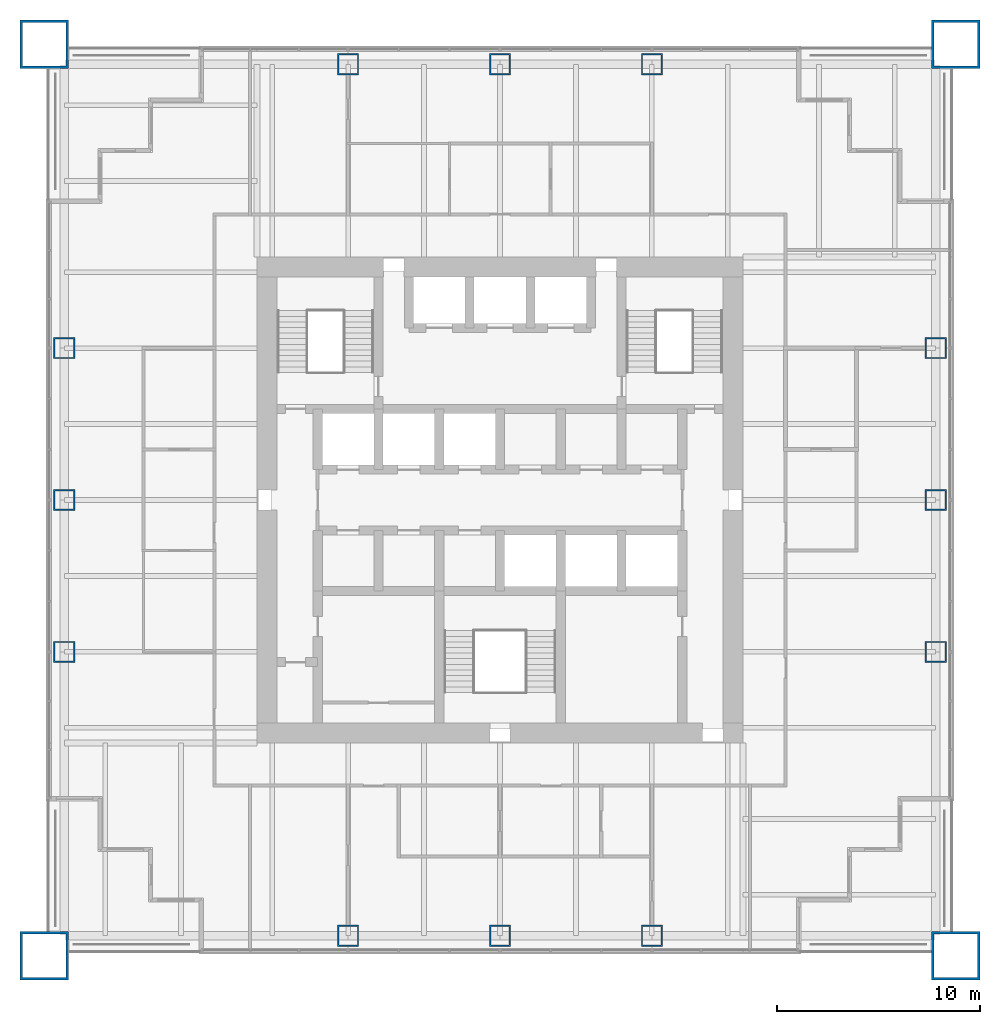
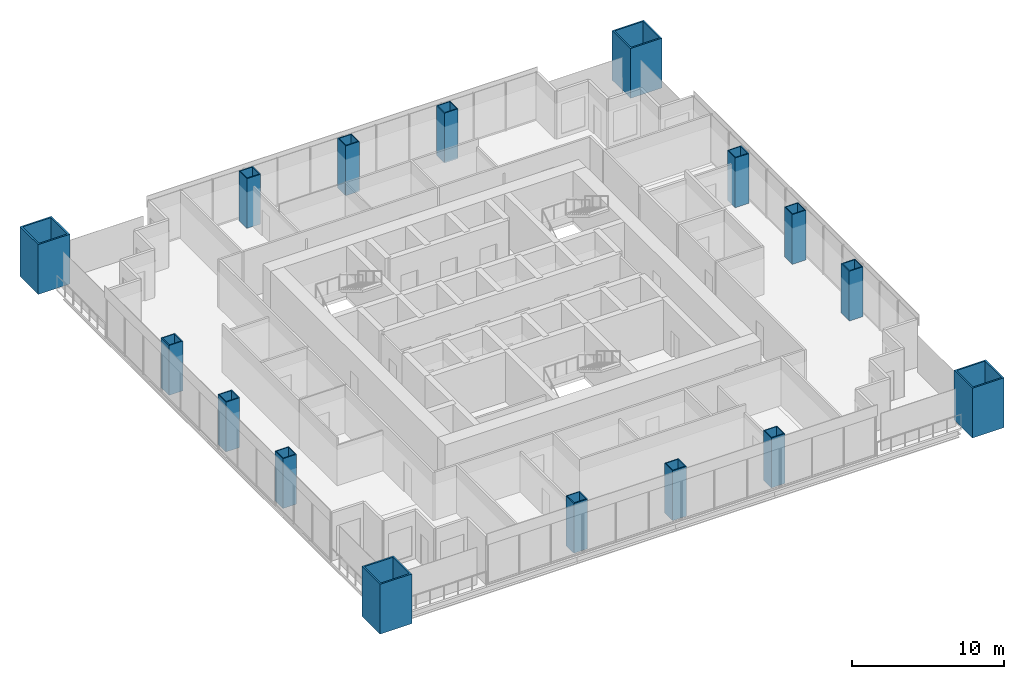
# One storey, part 1 of 13: 16 columns.
"""IFC4 building model written with IfcOpenShell, lengths in metres."""

from ifc_helpers import new_model, si_unit, direction, frame, origin, origin_2d, place, context, subcontext, project, spatial, hollow_rectangle, extrude, material, material_profile, profile_set, type_object, element, save


model = new_model("IFC4")

# Units and contexts
model_context = context("Model", 3, precision=1e-05, world=origin(), true_north=direction((0.0, 1.0)))
body_context = subcontext(model_context, "Body", "Model", "MODEL_VIEW")
ifc_project = project(units=[si_unit("LENGTHUNIT", "METRE"), si_unit("AREAUNIT", "SQUARE_METRE"), si_unit("VOLUMEUNIT", "CUBIC_METRE"), si_unit("PLANEANGLEUNIT", "RADIAN"), si_unit("MASSUNIT", "GRAM", prefix="KILO")], contexts=[model_context])

# Site, building, storey
site_placement = place(None, origin())
site = spatial("IfcSite", under=ifc_project, at=site_placement, CompositionType="ELEMENT")
building_placement = place(site_placement, origin())
building = spatial("IfcBuilding", under=site, at=building_placement, Name="Tarangal Relay Tower", CompositionType="ELEMENT")
storey_placement = place(building_placement, frame((0.0, 0.0, 209.89990234375)))
storey = spatial("IfcBuildingStorey", under=building, at=storey_placement, Name="L44", CompositionType="ELEMENT", Elevation=209.89990234375)

# Columns
ifc_material_1 = material(Name="Steel ASTM A572 Grade 42", Category="steel")
ifc_material_profile_1 = material_profile(ifc_material_1, hollow_rectangle(XDim=2.39990234375, YDim=2.39990234375, WallThickness=0.1201171875, at=origin_2d()), Name="BOX2400X2400X120")
ifc_profile_set_1 = profile_set([ifc_material_profile_1], Name="Steel ASTM A572 Grade 42")
column_type_1 = type_object("IfcColumnType", Name="Mega column BOX2400X2400X120", PredefinedType="COLUMN", material=ifc_profile_set_1)
for number, where, z_axis, x_axis, name in (
    (1, (22.5, 22.5, 0.0), (0.0, 0.0, 1.0), (1.0, 0.0, 0.0), "Mega column MC3 NE L44"),
    (2, (22.5, -22.5, 0.0), (0.0, 0.0, 1.0), (1.0, 0.0, 0.0), "Mega column MC3 SE L44"),
    (3, (-22.5, -22.5, 0.0), (0.0, 0.0, 1.0), (1.0, 0.0, 0.0), "Mega column MC3 SW L44"),
    (4, (-22.5, 22.5, 0.0), (0.0, 0.0, 1.0), (1.0, 0.0, 0.0), "Mega column MC3 NW L44"),
):
    element("IfcColumn", number, at=place(storey_placement, frame(where, z_axis=z_axis, x_axis=x_axis)), inside=storey, type_object=column_type_1, Name=name, PredefinedType="COLUMN", context=body_context, shape_type="SweptSolid", body=[
        extrude(hollow_rectangle(XDim=2.39990234375, YDim=2.39990234375, WallThickness=0.1201171875, at=origin_2d()), origin(), (0.0, 0.0, 1.0), 4.0),
    ])
ifc_material_2 = material(Name="Steel ASTM A572 Grade 50", Category="steel")
ifc_material_profile_2 = material_profile(ifc_material_2, hollow_rectangle(XDim=1.050048828125, YDim=1.050048828125, WallThickness=0.070068359375, at=origin_2d()), Name="BOX1050X1050X70")
ifc_profile_set_2 = profile_set([ifc_material_profile_2], Name="Steel ASTM A572 Grade 50")
column_type_2 = type_object("IfcColumnType", Name="Perimeter column BOX1050X1050X70", PredefinedType="COLUMN", material=ifc_profile_set_2)
for number, where, z_axis, x_axis, name in (
    (5, (-7.5, 21.514892578125, 0.0), (0.0, 0.0, 1.0), (1.0, 0.0, 0.0), "Perimeter column PC4 N L44"),
    (6, (0.0, 21.514892578125, 0.0), (0.0, 0.0, 1.0), (1.0, 0.0, 0.0), "Perimeter column PC4 N L44"),
    (7, (7.5, 21.514892578125, 0.0), (0.0, 0.0, 1.0), (1.0, 0.0, 0.0), "Perimeter column PC4 N L44"),
    (8, (21.514892578125, 7.5, 0.0), (0.0, 0.0, 1.0), (1.0, 0.0, 0.0), "Perimeter column PC4 E L44"),
    (9, (21.514892578125, 0.0, 0.0), (0.0, 0.0, 1.0), (1.0, 0.0, 0.0), "Perimeter column PC4 E L44"),
    (10, (21.514892578125, -7.5, 0.0), (0.0, 0.0, 1.0), (1.0, 0.0, 0.0), "Perimeter column PC4 E L44"),
    (11, (7.5, -21.514892578125, 0.0), (0.0, 0.0, 1.0), (1.0, 0.0, 0.0), "Perimeter column PC4 S L44"),
    (12, (0.0, -21.514892578125, 0.0), (0.0, 0.0, 1.0), (1.0, 0.0, 0.0), "Perimeter column PC4 S L44"),
    (13, (-7.5, -21.514892578125, 0.0), (0.0, 0.0, 1.0), (1.0, 0.0, 0.0), "Perimeter column PC4 S L44"),
    (14, (-21.514892578125, -7.5, 0.0), (0.0, 0.0, 1.0), (1.0, 0.0, 0.0), "Perimeter column PC4 W L44"),
    (15, (-21.514892578125, 0.0, 0.0), (0.0, 0.0, 1.0), (1.0, 0.0, 0.0), "Perimeter column PC4 W L44"),
    (16, (-21.514892578125, 7.5, 0.0), (0.0, 0.0, 1.0), (1.0, 0.0, 0.0), "Perimeter column PC4 W L44"),
):
    element("IfcColumn", number, at=place(storey_placement, frame(where, z_axis=z_axis, x_axis=x_axis)), inside=storey, type_object=column_type_2, Name=name, PredefinedType="COLUMN", context=body_context, shape_type="SweptSolid", body=[
        extrude(hollow_rectangle(XDim=1.050048828125, YDim=1.050048828125, WallThickness=0.070068359375, at=origin_2d()), origin(), (0.0, 0.0, 1.0), 4.0),
    ])

save(model, "model.ifc")
